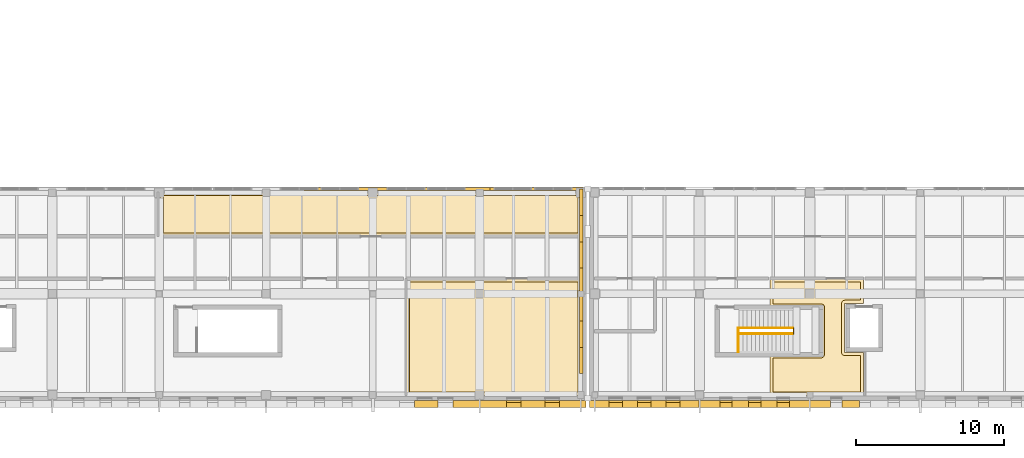
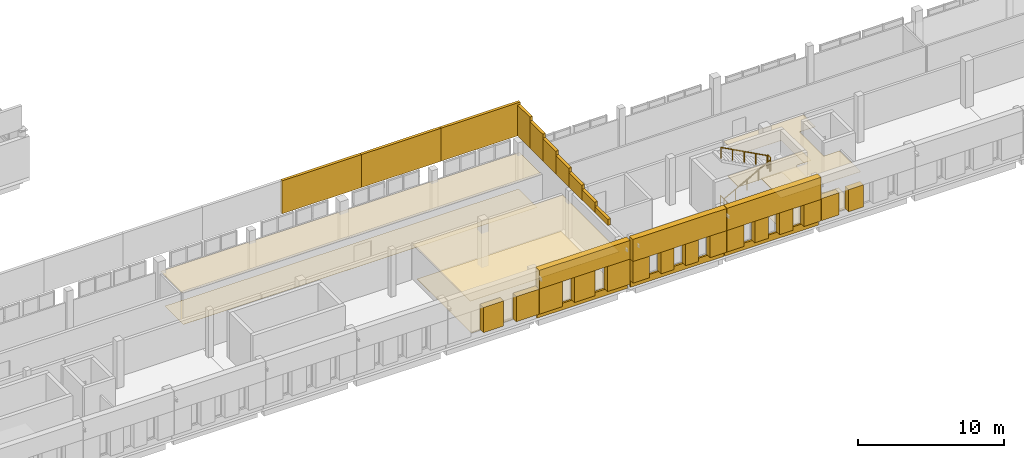
# One storey, part 69 of 76: 37 coverings, 4 railings.
"""IFC4 building model written with IfcOpenShell, lengths in metres."""

from ifc_helpers import new_model, si_unit, direction, frame, origin, origin_2d, place, context, subcontext, project, spatial, polyline, circle, outline, extrude, material, layer, layer_set, type_object, element, save


model = new_model("IFC4")

# Units and contexts
model_context = context("Model", 3, precision=1e-05, world=origin(), true_north=direction((0.0, 1.0)))
body_context = subcontext(model_context, "Body", "Model", "MODEL_VIEW")
ifc_project = project(units=[si_unit("LENGTHUNIT", "METRE"), si_unit("AREAUNIT", "SQUARE_METRE"), si_unit("VOLUMEUNIT", "CUBIC_METRE"), si_unit("PLANEANGLEUNIT", "RADIAN"), si_unit("MASSUNIT", "GRAM", prefix="KILO")], contexts=[model_context])

# Site, building, storey
site_placement = place(None, origin())
site = spatial("IfcSite", under=ifc_project, at=site_placement, CompositionType="ELEMENT")
building_placement = place(site_placement, origin())
building = spatial("IfcBuilding", under=site, at=building_placement, Name="Vardoun Plaza Health Centre", CompositionType="ELEMENT")
storey_placement = place(building_placement, frame((0.0, 0.0, 4.5)))
storey = spatial("IfcBuildingStorey", under=building, at=storey_placement, Name="L01", CompositionType="ELEMENT", Elevation=4.5)

# Coverings
ifc_material_1 = material(Name="Hygienic Acoustic Mineral-Fibre Ceiling", Category="concrete")
ifc_layer_1 = layer(ifc_material_1, 0.02490234375)
ifc_layer_set_1 = layer_set([ifc_layer_1], Name="Hygienic Acoustic Mineral-Fibre Ceiling")
covering_type_1 = type_object("IfcCoveringType", Name="CL-01", PredefinedType="CEILING", material=ifc_layer_set_1)
covering_1_placement = place(storey_placement, frame((0.0, 0.0, 2.844970703125)))
element("IfcCovering", 1, at=covering_1_placement, inside=storey, type_object=covering_type_1, Name="Haematology and Biochemistry Lab Acoustic Ceiling", PredefinedType="CEILING", context=body_context, shape_type="SweptSolid", body=[
    extrude(outline(polyline([(93.324951171875, 4.860107421875), (93.324951171875, 12.719970703125), (105.1201171875, 12.719970703125), (105.1201171875, 4.860107421875), (93.324951171875, 4.860107421875)])), origin(), (0.0, 0.0, 1.0), 0.025146484375),
])
covering_2_placement = place(storey_placement, frame((0.0, 0.0, 2.844970703125)))
element("IfcCovering", 2, at=covering_2_placement, inside=storey, type_object=covering_type_1, Name="Diagnostic Ultrasound Room 1 Acoustic Ceiling", PredefinedType="CEILING", context=body_context, shape_type="SweptSolid", body=[
    extrude(outline(polyline([(105.1201171875, 18.5400390625), (105.1201171875, 15.580078125), (76.77001953125, 15.580078125), (76.77001953125, 18.5400390625), (105.1201171875, 18.5400390625)])), origin(), (0.0, 0.0, 1.0), 0.025146484375),
])
covering_3_placement = place(storey_placement, frame((0.0, 0.0, 2.864990234375)))
element("IfcCovering", 3, at=covering_3_placement, inside=storey, type_object=covering_type_1, Name="Theatre Sterile Supply Unit TSSU A Acoustic Ceiling", PredefinedType="CEILING", context=body_context, shape_type="SweptSolid", body=[
    extrude(outline(polyline([(117.85009765625, 7.590087890625), (121.300048828125, 7.590087890625), (121.301025390625, 7.590087890625), (121.302001953125, 7.590087890625), (121.302978515625, 7.59033203125), (121.3037109375, 7.5908203125), (121.3046875, 7.59130859375), (121.3056640625, 7.591796875), (121.306396484375, 7.59228515625), (121.30712890625, 7.593017578125), (121.3076171875, 7.59375), (121.308349609375, 7.594482421875), (121.308837890625, 7.59521484375), (121.30908203125, 7.59619140625), (121.3095703125, 7.59716796875), (121.309814453125, 7.597900390625), (121.31005859375, 7.59912109375), (121.31005859375, 7.60009765625), (121.31005859375, 10.800048828125), (121.31005859375, 10.801025390625), (121.309814453125, 10.802001953125), (121.3095703125, 10.802978515625), (121.30908203125, 10.8037109375), (121.308837890625, 10.8046875), (121.308349609375, 10.8056640625), (121.3076171875, 10.806396484375), (121.30712890625, 10.80712890625), (121.306396484375, 10.8076171875), (121.3056640625, 10.808349609375), (121.3046875, 10.808837890625), (121.3037109375, 10.80908203125), (121.302978515625, 10.8095703125), (121.302001953125, 10.809814453125), (121.301025390625, 10.81005859375), (121.300048828125, 10.81005859375), (117.85009765625, 10.81005859375), (117.85009765625, 12.719970703125), (124.14990234375, 12.719970703125), (124.14990234375, 11.06005859375), (122.89990234375, 11.06005859375), (122.89892578125, 11.06005859375), (122.89794921875, 11.059814453125), (122.897216796875, 11.0595703125), (122.896240234375, 11.05908203125), (122.895263671875, 11.058837890625), (122.894287109375, 11.058349609375), (122.893798828125, 11.0576171875), (122.892822265625, 11.05712890625), (122.892333984375, 11.056396484375), (122.8916015625, 11.0556640625), (122.89111328125, 11.0546875), (122.890869140625, 11.0537109375), (122.890380859375, 11.052978515625), (122.89013671875, 11.052001953125), (122.889892578125, 11.051025390625), (122.889892578125, 11.050048828125), (122.889892578125, 7.75), (122.889892578125, 7.7490234375), (122.89013671875, 7.748046875), (122.890380859375, 7.7470703125), (122.890869140625, 7.74609375), (122.89111328125, 7.745361328125), (122.8916015625, 7.744384765625), (122.892333984375, 7.74365234375), (122.892822265625, 7.742919921875), (122.893798828125, 7.7421875), (122.894287109375, 7.74169921875), (122.895263671875, 7.7412109375), (122.896240234375, 7.74072265625), (122.897216796875, 7.740478515625), (122.89794921875, 7.740234375), (122.89892578125, 7.739990234375), (122.89990234375, 7.739990234375), (124.14990234375, 7.739990234375), (124.14990234375, 4.860107421875), (117.85009765625, 4.860107421875), (117.85009765625, 7.590087890625)])), origin(), (0.0, 0.0, 1.0), 0.02490234375),
])
ifc_material_2 = material(Name="Pale Limestone Concrete C35/45", Category="masonry")
ifc_layer_2 = layer(ifc_material_2, 0.080078125)
ifc_layer_set_2 = layer_set([ifc_layer_2], Name="Pale Limestone Concrete C35/45")
covering_type_2 = type_object("IfcCoveringType", Name="CL-EXT1", PredefinedType="CLADDING", material=ifc_layer_set_2)
covering_4_placement = place(storey_placement, origin())
element("IfcCovering", 4, at=covering_4_placement, inside=storey, type_object=covering_type_2, Name="V4 L01 Pale Concrete Sill Band 1025", PredefinedType="CLADDING", context=body_context, shape_type="SweptSolid", body=[
    extrude(outline(polyline([(105.4599609375, 4.5), (98.300048828125, 4.5), (98.300048828125, 4.360107421875), (105.4599609375, 4.360107421875), (105.4599609375, 4.5)])), origin(), (0.0, 0.0, 1.0), 0.550048828125),
])
covering_5_placement = place(storey_placement, frame((0.0, 0.0, 2.64990234375)))
element("IfcCovering", 5, at=covering_5_placement, inside=storey, type_object=covering_type_2, Name="V4 L01 Sculpted Concrete Eyebrow Hood 1026", PredefinedType="CLADDING", context=body_context, shape_type="SweptSolid", body=[
    extrude(outline(polyline([(105.4599609375, 4.5), (98.300048828125, 4.5), (98.300048828125, 4.02001953125), (105.4599609375, 4.02001953125), (105.4599609375, 4.5)])), origin(), (0.0, 0.0, 1.0), 1.550048828125),
])
covering_6_placement = place(storey_placement, frame((0.0, 0.0, 0.550048828125)))
element("IfcCovering", 6, at=covering_6_placement, inside=storey, type_object=covering_type_2, Name="V4 L01 Deep-Punched Slot Concrete Reveal Pier 1027", PredefinedType="CLADDING", context=body_context, shape_type="SweptSolid", body=[
    extrude(outline(polyline([(105.4599609375, 4.5), (103.656005859375, 4.5), (103.656005859375, 4.02001953125), (105.4599609375, 4.02001953125), (105.4599609375, 4.5)])), origin(), (0.0, 0.0, 1.0), 2.099853515625),
])
covering_7_placement = place(storey_placement, frame((0.0, 0.0, 0.550048828125)))
element("IfcCovering", 7, at=covering_7_placement, inside=storey, type_object=covering_type_2, Name="V4 L01 Deep-Punched Slot Concrete Reveal Pier 1028", PredefinedType="CLADDING", context=body_context, shape_type="SweptSolid", body=[
    extrude(outline(polyline([(102.696044921875, 4.5), (101.06396484375, 4.5), (101.06396484375, 4.02001953125), (102.696044921875, 4.02001953125), (102.696044921875, 4.5)])), origin(), (0.0, 0.0, 1.0), 2.099853515625),
])
covering_8_placement = place(storey_placement, frame((0.0, 0.0, 0.550048828125)))
element("IfcCovering", 8, at=covering_8_placement, inside=storey, type_object=covering_type_2, Name="V4 L01 Deep-Punched Slot Concrete Reveal Pier 1029", PredefinedType="CLADDING", context=body_context, shape_type="SweptSolid", body=[
    extrude(outline(polyline([(100.10400390625, 4.5), (98.300048828125, 4.5), (98.300048828125, 4.02001953125), (100.10400390625, 4.02001953125), (100.10400390625, 4.5)])), origin(), (0.0, 0.0, 1.0), 2.099853515625),
])
covering_9_placement = place(storey_placement, frame((0.0, 0.0, 0.550048828125)))
element("IfcCovering", 9, at=covering_9_placement, inside=storey, type_object=covering_type_2, Name="V4 L01 Deep-Punched Slot Concrete Reveal Pier 1032", PredefinedType="CLADDING", context=body_context, shape_type="SweptSolid", body=[
    extrude(outline(polyline([(98.260009765625, 4.5), (96.47607421875, 4.5), (96.47607421875, 4.02001953125), (98.260009765625, 4.02001953125), (98.260009765625, 4.5)])), origin(), (0.0, 0.0, 1.0), 2.099853515625),
])
covering_10_placement = place(storey_placement, frame((0.0, 0.0, 0.550048828125)))
element("IfcCovering", 10, at=covering_10_placement, inside=storey, type_object=covering_type_2, Name="V4 L01 Deep-Punched Slot Concrete Reveal Pier 1033", PredefinedType="CLADDING", context=body_context, shape_type="SweptSolid", body=[
    extrude(outline(polyline([(95.47607421875, 4.5), (93.884033203125, 4.5), (93.884033203125, 4.02001953125), (95.47607421875, 4.02001953125), (95.47607421875, 4.5)])), origin(), (0.0, 0.0, 1.0), 2.099853515625),
])
covering_11_placement = place(storey_placement, frame((0.0, 0.0, 0.550048828125)))
element("IfcCovering", 11, at=covering_11_placement, inside=storey, type_object=covering_type_2, Name="V5 L01 Deep-Punched Slot Concrete Reveal Pier 1168", PredefinedType="CLADDING", context=body_context, shape_type="SweptSolid", body=[
    extrude(outline(polyline([(123.8798828125, 4.5), (122.70556640625, 4.5), (122.70556640625, 4.02001953125), (123.8798828125, 4.02001953125), (123.8798828125, 4.5)])), origin(), (0.0, 0.0, 1.0), 1.849853515625),
])
covering_12_placement = place(storey_placement, frame((0.0, 0.0, 0.550048828125)))
element("IfcCovering", 12, at=covering_12_placement, inside=storey, type_object=covering_type_2, Name="V5 L01 Deep-Punched Slot Concrete Reveal Pier 1169", PredefinedType="CLADDING", context=body_context, shape_type="SweptSolid", body=[
    extrude(outline(polyline([(121.945556640625, 4.5), (120.56005859375, 4.5), (120.56005859375, 4.02001953125), (121.945556640625, 4.02001953125), (121.945556640625, 4.5)])), origin(), (0.0, 0.0, 1.0), 1.849853515625),
])
covering_13_placement = place(storey_placement, origin())
element("IfcCovering", 13, at=covering_13_placement, inside=storey, type_object=covering_type_2, Name="V5 L01 Pale Concrete Sill Band 1170", PredefinedType="CLADDING", context=body_context, shape_type="SweptSolid", body=[
    extrude(outline(polyline([(120.52001953125, 4.5), (113.1201171875, 4.5), (113.1201171875, 4.360107421875), (120.52001953125, 4.360107421875), (120.52001953125, 4.5)])), origin(), (0.0, 0.0, 1.0), 0.550048828125),
])
covering_14_placement = place(storey_placement, frame((0.0, 0.0, 2.35009765625)))
element("IfcCovering", 14, at=covering_14_placement, inside=storey, type_object=covering_type_2, Name="V5 L01 Sculpted Concrete Eyebrow Hood 1171", PredefinedType="CLADDING", context=body_context, shape_type="SweptSolid", body=[
    extrude(outline(polyline([(120.52001953125, 4.5), (113.1201171875, 4.5), (113.1201171875, 4.02001953125), (120.52001953125, 4.02001953125), (120.52001953125, 4.5)])), origin(), (0.0, 0.0, 1.0), 1.849853515625),
])
covering_15_placement = place(storey_placement, frame((0.0, 0.0, 0.550048828125)))
element("IfcCovering", 15, at=covering_15_placement, inside=storey, type_object=covering_type_2, Name="V5 L01 Deep-Punched Slot Concrete Reveal Pier 1172", PredefinedType="CLADDING", context=body_context, shape_type="SweptSolid", body=[
    extrude(outline(polyline([(120.52001953125, 4.5), (119.17431640625, 4.5), (119.17431640625, 4.02001953125), (120.52001953125, 4.02001953125), (120.52001953125, 4.5)])), origin(), (0.0, 0.0, 1.0), 1.800048828125),
])
covering_16_placement = place(storey_placement, frame((0.0, 0.0, 0.550048828125)))
element("IfcCovering", 16, at=covering_16_placement, inside=storey, type_object=covering_type_2, Name="V5 L01 Deep-Punched Slot Concrete Reveal Pier 1173", PredefinedType="CLADDING", context=body_context, shape_type="SweptSolid", body=[
    extrude(outline(polyline([(118.33447265625, 4.5), (117.239990234375, 4.5), (117.239990234375, 4.02001953125), (118.33447265625, 4.02001953125), (118.33447265625, 4.5)])), origin(), (0.0, 0.0, 1.0), 1.800048828125),
])
covering_17_placement = place(storey_placement, frame((0.0, 0.0, 0.550048828125)))
element("IfcCovering", 17, at=covering_17_placement, inside=storey, type_object=covering_type_2, Name="V5 L01 Deep-Punched Slot Concrete Reveal Pier 1174", PredefinedType="CLADDING", context=body_context, shape_type="SweptSolid", body=[
    extrude(outline(polyline([(116.39990234375, 4.5), (115.3056640625, 4.5), (115.3056640625, 4.02001953125), (116.39990234375, 4.02001953125), (116.39990234375, 4.5)])), origin(), (0.0, 0.0, 1.0), 1.800048828125),
])
covering_18_placement = place(storey_placement, frame((0.0, 0.0, 0.550048828125)))
element("IfcCovering", 18, at=covering_18_placement, inside=storey, type_object=covering_type_2, Name="V5 L01 Deep-Punched Slot Concrete Reveal Pier 1175", PredefinedType="CLADDING", context=body_context, shape_type="SweptSolid", body=[
    extrude(outline(polyline([(114.465576171875, 4.5), (113.1201171875, 4.5), (113.1201171875, 4.02001953125), (114.465576171875, 4.02001953125), (114.465576171875, 4.5)])), origin(), (0.0, 0.0, 1.0), 1.800048828125),
])
covering_19_placement = place(storey_placement, origin())
element("IfcCovering", 19, at=covering_19_placement, inside=storey, type_object=covering_type_2, Name="V5 L01 Pale Concrete Sill Band 1176", PredefinedType="CLADDING", context=body_context, shape_type="SweptSolid", body=[
    extrude(outline(polyline([(113.080078125, 4.5), (105.679931640625, 4.5), (105.679931640625, 4.360107421875), (113.080078125, 4.360107421875), (113.080078125, 4.5)])), origin(), (0.0, 0.0, 1.0), 0.550048828125),
])
covering_20_placement = place(storey_placement, frame((0.0, 0.0, 2.35009765625)))
element("IfcCovering", 20, at=covering_20_placement, inside=storey, type_object=covering_type_2, Name="V5 L01 Sculpted Concrete Eyebrow Hood 1177", PredefinedType="CLADDING", context=body_context, shape_type="SweptSolid", body=[
    extrude(outline(polyline([(113.080078125, 4.5), (105.679931640625, 4.5), (105.679931640625, 4.02001953125), (113.080078125, 4.02001953125), (113.080078125, 4.5)])), origin(), (0.0, 0.0, 1.0), 1.849853515625),
])
covering_21_placement = place(storey_placement, frame((0.0, 0.0, 0.550048828125)))
element("IfcCovering", 21, at=covering_21_placement, inside=storey, type_object=covering_type_2, Name="V5 L01 Deep-Punched Slot Concrete Reveal Pier 1178", PredefinedType="CLADDING", context=body_context, shape_type="SweptSolid", body=[
    extrude(outline(polyline([(113.080078125, 4.5), (111.7744140625, 4.5), (111.7744140625, 4.02001953125), (113.080078125, 4.02001953125), (113.080078125, 4.5)])), origin(), (0.0, 0.0, 1.0), 1.800048828125),
])
covering_22_placement = place(storey_placement, frame((0.0, 0.0, 0.550048828125)))
element("IfcCovering", 22, at=covering_22_placement, inside=storey, type_object=covering_type_2, Name="V5 L01 Deep-Punched Slot Concrete Reveal Pier 1179", PredefinedType="CLADDING", context=body_context, shape_type="SweptSolid", body=[
    extrude(outline(polyline([(110.8544921875, 4.5), (109.840087890625, 4.5), (109.840087890625, 4.02001953125), (110.8544921875, 4.02001953125), (110.8544921875, 4.5)])), origin(), (0.0, 0.0, 1.0), 1.800048828125),
])
covering_23_placement = place(storey_placement, frame((0.0, 0.0, 0.550048828125)))
element("IfcCovering", 23, at=covering_23_placement, inside=storey, type_object=covering_type_2, Name="V5 L01 Deep-Punched Slot Concrete Reveal Pier 1180", PredefinedType="CLADDING", context=body_context, shape_type="SweptSolid", body=[
    extrude(outline(polyline([(108.919921875, 4.5), (107.905517578125, 4.5), (107.905517578125, 4.02001953125), (108.919921875, 4.02001953125), (108.919921875, 4.5)])), origin(), (0.0, 0.0, 1.0), 1.800048828125),
])
covering_24_placement = place(storey_placement, frame((0.0, 0.0, 0.550048828125)))
element("IfcCovering", 24, at=covering_24_placement, inside=storey, type_object=covering_type_2, Name="V5 L01 Deep-Punched Slot Concrete Reveal Pier 1181", PredefinedType="CLADDING", context=body_context, shape_type="SweptSolid", body=[
    extrude(outline(polyline([(106.985595703125, 4.5), (105.679931640625, 4.5), (105.679931640625, 4.02001953125), (106.985595703125, 4.02001953125), (106.985595703125, 4.5)])), origin(), (0.0, 0.0, 1.0), 1.800048828125),
])
covering_25_placement = place(storey_placement, frame((0.0, 0.0, 4.199951171875)))
element("IfcCovering", 25, at=covering_25_placement, inside=storey, type_object=covering_type_2, Name="Sculpted Concrete Roof Gable Cladding V4-E.2", PredefinedType="CLADDING", context=body_context, shape_type="SweptSolid", body=[
    extrude(outline(polyline([(105.239990234375, 6.3173828125), (105.239990234375, 8.094970703125), (105.02001953125, 8.094970703125), (105.02001953125, 6.3173828125), (105.239990234375, 6.3173828125)])), origin(), (0.0, 0.0, 1.0), 0.515625),
])
covering_26_placement = place(storey_placement, frame((0.0, 0.0, 4.199951171875)))
element("IfcCovering", 26, at=covering_26_placement, inside=storey, type_object=covering_type_2, Name="Sculpted Concrete Roof Gable Cladding V4-E.3", PredefinedType="CLADDING", context=body_context, shape_type="SweptSolid", body=[
    extrude(outline(polyline([(105.239990234375, 8.094970703125), (105.239990234375, 9.87255859375), (105.02001953125, 9.87255859375), (105.02001953125, 8.094970703125), (105.239990234375, 8.094970703125)])), origin(), (0.0, 0.0, 1.0), 0.859375),
])
covering_27_placement = place(storey_placement, frame((0.0, 0.0, 4.199951171875)))
element("IfcCovering", 27, at=covering_27_placement, inside=storey, type_object=covering_type_2, Name="Sculpted Concrete Roof Gable Cladding V4-E.4", PredefinedType="CLADDING", context=body_context, shape_type="SweptSolid", body=[
    extrude(outline(polyline([(105.239990234375, 9.87255859375), (105.239990234375, 11.64990234375), (105.02001953125, 11.64990234375), (105.02001953125, 9.87255859375), (105.239990234375, 9.87255859375)])), origin(), (0.0, 0.0, 1.0), 1.203125),
])
covering_28_placement = place(storey_placement, frame((0.0, 0.0, 4.199951171875)))
element("IfcCovering", 28, at=covering_28_placement, inside=storey, type_object=covering_type_2, Name="Sculpted Concrete Roof Gable Cladding V4-E.5", PredefinedType="CLADDING", context=body_context, shape_type="SweptSolid", body=[
    extrude(outline(polyline([(105.239990234375, 11.64990234375), (105.239990234375, 13.427490234375), (105.02001953125, 13.427490234375), (105.02001953125, 11.64990234375), (105.239990234375, 11.64990234375)])), origin(), (0.0, 0.0, 1.0), 1.546875),
])
covering_29_placement = place(storey_placement, frame((0.0, 0.0, 4.199951171875)))
element("IfcCovering", 29, at=covering_29_placement, inside=storey, type_object=covering_type_2, Name="Sculpted Concrete Roof Gable Cladding V4-E.6", PredefinedType="CLADDING", context=body_context, shape_type="SweptSolid", body=[
    extrude(outline(polyline([(105.239990234375, 13.427490234375), (105.239990234375, 15.205078125), (105.02001953125, 15.205078125), (105.02001953125, 13.427490234375), (105.239990234375, 13.427490234375)])), origin(), (0.0, 0.0, 1.0), 1.890625),
])
covering_30_placement = place(storey_placement, frame((0.0, 0.0, 4.199951171875)))
element("IfcCovering", 30, at=covering_30_placement, inside=storey, type_object=covering_type_2, Name="Sculpted Concrete Roof Gable Cladding V4-E.7", PredefinedType="CLADDING", context=body_context, shape_type="SweptSolid", body=[
    extrude(outline(polyline([(105.239990234375, 15.205078125), (105.239990234375, 16.982421875), (105.02001953125, 16.982421875), (105.02001953125, 15.205078125), (105.239990234375, 15.205078125)])), origin(), (0.0, 0.0, 1.0), 2.234375),
])
covering_31_placement = place(storey_placement, frame((0.0, 0.0, 4.199951171875)))
element("IfcCovering", 31, at=covering_31_placement, inside=storey, type_object=covering_type_2, Name="Sculpted Concrete Roof Gable Cladding V4-E.8", PredefinedType="CLADDING", context=body_context, shape_type="SweptSolid", body=[
    extrude(outline(polyline([(105.239990234375, 16.982421875), (105.239990234375, 18.760009765625), (105.02001953125, 18.760009765625), (105.02001953125, 16.982421875), (105.239990234375, 16.982421875)])), origin(), (0.0, 0.0, 1.0), 2.578125),
])
covering_32_placement = place(storey_placement, frame((0.0, 0.0, 4.199951171875)))
element("IfcCovering", 32, at=covering_32_placement, inside=storey, type_object=covering_type_2, Name="Sculpted Concrete Roof Gable Cladding V4-N.6", PredefinedType="CLADDING", context=body_context, shape_type="SweptSolid", body=[
    extrude(outline(polyline([(86.429931640625, 18.659912109375), (92.699951171875, 18.659912109375), (92.699951171875, 18.8798828125), (86.429931640625, 18.8798828125), (86.429931640625, 18.659912109375)])), origin(), (0.0, 0.0, 1.0), 2.75),
])
covering_33_placement = place(storey_placement, frame((0.0, 0.0, 4.199951171875)))
element("IfcCovering", 33, at=covering_33_placement, inside=storey, type_object=covering_type_2, Name="Sculpted Concrete Roof Gable Cladding V4-N.7", PredefinedType="CLADDING", context=body_context, shape_type="SweptSolid", body=[
    extrude(outline(polyline([(92.699951171875, 18.659912109375), (98.969970703125, 18.659912109375), (98.969970703125, 18.8798828125), (92.699951171875, 18.8798828125), (92.699951171875, 18.659912109375)])), origin(), (0.0, 0.0, 1.0), 2.75),
])
covering_34_placement = place(storey_placement, frame((0.0, 0.0, 4.199951171875)))
element("IfcCovering", 34, at=covering_34_placement, inside=storey, type_object=covering_type_2, Name="Sculpted Concrete Roof Gable Cladding V4-N.8", PredefinedType="CLADDING", context=body_context, shape_type="SweptSolid", body=[
    extrude(outline(polyline([(98.969970703125, 18.659912109375), (105.239990234375, 18.659912109375), (105.239990234375, 18.8798828125), (98.969970703125, 18.8798828125), (98.969970703125, 18.659912109375)])), origin(), (0.0, 0.0, 1.0), 2.75),
])
ifc_material_3 = material(Name="Seamless Conductive Clinical Vinyl Flooring", Category="concrete")
ifc_layer_3 = layer(ifc_material_3, 0.014892578125)
ifc_layer_set_3 = layer_set([ifc_layer_3], Name="Seamless Conductive Clinical Vinyl Flooring")
covering_type_3 = type_object("IfcCoveringType", Name="FL-01", PredefinedType="FLOORING", material=ifc_layer_set_3)
covering_35_placement = place(storey_placement, origin())
element("IfcCovering", 35, at=covering_35_placement, inside=storey, type_object=covering_type_3, Name="Haematology and Biochemistry Lab Floor Finish", PredefinedType="FLOORING", context=body_context, shape_type="SweptSolid", body=[
    extrude(outline(polyline([(93.534912109375, 5.070068359375), (93.534912109375, 12.510009765625), (104.909912109375, 12.510009765625), (104.909912109375, 5.070068359375), (93.534912109375, 5.070068359375)])), origin(), (0.0, 0.0, 1.0), 0.014892578125),
])
covering_36_placement = place(storey_placement, origin())
element("IfcCovering", 36, at=covering_36_placement, inside=storey, type_object=covering_type_3, Name="Diagnostic Ultrasound Room 1 Floor Finish", PredefinedType="FLOORING", context=body_context, shape_type="SweptSolid", body=[
    extrude(outline(polyline([(104.909912109375, 18.330078125), (104.909912109375, 15.7900390625), (76.97998046875, 15.7900390625), (76.97998046875, 18.330078125), (104.909912109375, 18.330078125)])), origin(), (0.0, 0.0, 1.0), 0.014892578125),
])
covering_37_placement = place(storey_placement, origin())
element("IfcCovering", 37, at=covering_37_placement, inside=storey, type_object=covering_type_3, Name="Theatre Sterile Supply Unit TSSU A Floor Finish", PredefinedType="FLOORING", context=body_context, shape_type="SweptSolid", body=[
    extrude(outline(polyline([(118.06005859375, 7.3798828125), (121.300048828125, 7.3798828125), (121.321533203125, 7.381103515625), (121.343017578125, 7.38427734375), (121.364013671875, 7.389404296875), (121.38427734375, 7.396728515625), (121.40380859375, 7.406005859375), (121.422119140625, 7.4169921875), (121.439697265625, 7.429931640625), (121.45556640625, 7.4443359375), (121.47021484375, 7.46044921875), (121.48291015625, 7.477783203125), (121.493896484375, 7.496337890625), (121.50341796875, 7.515869140625), (121.510498046875, 7.5361328125), (121.515869140625, 7.55712890625), (121.518798828125, 7.578369140625), (121.52001953125, 7.60009765625), (121.52001953125, 10.800048828125), (121.518798828125, 10.821533203125), (121.515869140625, 10.843017578125), (121.510498046875, 10.864013671875), (121.50341796875, 10.88427734375), (121.493896484375, 10.90380859375), (121.48291015625, 10.922119140625), (121.47021484375, 10.939697265625), (121.45556640625, 10.95556640625), (121.439697265625, 10.97021484375), (121.422119140625, 10.98291015625), (121.40380859375, 10.993896484375), (121.38427734375, 11.00341796875), (121.364013671875, 11.010498046875), (121.343017578125, 11.015869140625), (121.321533203125, 11.018798828125), (121.300048828125, 11.02001953125), (118.06005859375, 11.02001953125), (118.06005859375, 12.510009765625), (123.93994140625, 12.510009765625), (123.93994140625, 11.27001953125), (122.89990234375, 11.27001953125), (122.87841796875, 11.268798828125), (122.857177734375, 11.265869140625), (122.836181640625, 11.260498046875), (122.81591796875, 11.25341796875), (122.79638671875, 11.243896484375), (122.77783203125, 11.23291015625), (122.760498046875, 11.22021484375), (122.744384765625, 11.20556640625), (122.72998046875, 11.189697265625), (122.717041015625, 11.172119140625), (122.7060546875, 11.15380859375), (122.69677734375, 11.13427734375), (122.689453125, 11.114013671875), (122.68408203125, 11.093017578125), (122.68115234375, 11.071533203125), (122.679931640625, 11.050048828125), (122.679931640625, 7.75), (122.68115234375, 7.728515625), (122.68408203125, 7.70703125), (122.689453125, 7.68603515625), (122.69677734375, 7.665771484375), (122.7060546875, 7.646240234375), (122.717041015625, 7.627685546875), (122.72998046875, 7.6103515625), (122.744384765625, 7.594482421875), (122.760498046875, 7.579833984375), (122.77783203125, 7.567138671875), (122.79638671875, 7.555908203125), (122.81591796875, 7.546630859375), (122.836181640625, 7.53955078125), (122.857177734375, 7.5341796875), (122.87841796875, 7.531005859375), (122.89990234375, 7.530029296875), (123.93994140625, 7.530029296875), (123.93994140625, 5.070068359375), (118.06005859375, 5.070068359375), (118.06005859375, 7.3798828125)])), origin(), (0.0, 0.0, 1.0), 0.014892578125),
])

# Railings
ifc_material_4 = material(Name="Painted Steel S275JR Stair-Well Guardrail", Category="steel")
railing_type_1 = type_object("IfcRailingType", Name="GR-04", PredefinedType="GUARDRAIL", material=ifc_material_4)
railing_1_placement = place(storey_placement, frame((115.7099609375, 7.780029296875, 0.0)))
element("IfcRailing", 38, at=railing_1_placement, inside=storey, type_object=railing_type_1, Name="Stair ST-C8-L00 Upper Landing Well Guard", PredefinedType="GUARDRAIL", context=body_context, shape_type="SweptSolid", body=[
    extrude(circle(Radius=0.02392578125, at=origin_2d()), frame((0.0, 0.0, 1.09619140625), z_axis=(0.0, 1.0, 0.0), x_axis=(-1.0, 0.0, 0.0)), (0.0, 0.0, 1.0), 1.614990234375),
    extrude(circle(Radius=0.02099609375, at=origin_2d()), origin(), (0.0, 0.0, 1.0), 1.072021484375),
    extrude(circle(Radius=0.02099609375, at=origin_2d()), frame((0.0, 0.8076171875, 0.0)), (0.0, 0.0, 1.0), 1.072021484375),
    extrude(circle(Radius=0.02099609375, at=origin_2d()), frame((0.0, 1.614990234375, 0.0)), (0.0, 0.0, 1.0), 1.072021484375),
])
railing_2_placement = place(storey_placement, frame((119.429931640625, 9.0048828125, 2.10009765625)))
element("IfcRailing", 39, at=railing_2_placement, inside=storey, type_object=railing_type_1, Name="Stair ST-C8-L01 Mid-Landing Well Guard", PredefinedType="GUARDRAIL", context=body_context, shape_type="SweptSolid", body=[
    extrude(circle(Radius=0.02392578125, at=origin_2d()), frame((0.0, 0.0, 1.09619140625), z_axis=(0.0, 1.0, 0.0), x_axis=(-1.0, 0.0, 0.0)), (0.0, 0.0, 1.0), 0.39013671875),
    extrude(circle(Radius=0.02099609375, at=origin_2d()), origin(), (0.0, 0.0, 1.0), 1.072021484375),
    extrude(circle(Radius=0.02099609375, at=origin_2d()), frame((0.0, 0.39013671875, 0.0)), (0.0, 0.0, 1.0), 1.072021484375),
])
ifc_material_5 = material(Name="Brushed Stainless Steel Grade 316L", Category="steel")
railing_type_2 = type_object("IfcRailingType", Name="HR-01", PredefinedType="HANDRAIL", material=ifc_material_5)
railing_3_placement = place(storey_placement, frame((115.75, 9.0048828125, 0.14990234375)))
element("IfcRailing", 40, at=railing_3_placement, inside=storey, type_object=railing_type_2, Name="Stair ST-C8-L01 Flight 1 Handrail", PredefinedType="HANDRAIL", context=body_context, shape_type="SweptSolid", body=[
    extrude(circle(Radius=0.02392578125, at=origin_2d()), frame((0.0, 0.0, 0.89599609375), z_axis=(0.88145447994, 0.0, 0.472268990929), x_axis=(0.0, 1.0, 0.0)), (0.0, 0.0, 1.0), 4.12939453125),
    extrude(circle(Radius=0.02099609375, at=origin_2d()), origin(), (0.0, 0.0, 1.0), 0.871826171875),
    extrude(circle(Radius=0.02099609375, at=origin_2d()), frame((0.909912109375, 0.0, 0.487548828125)), (0.0, 0.0, 1.0), 0.871826171875),
    extrude(circle(Radius=0.02099609375, at=origin_2d()), frame((1.81982421875, 0.0, 0.97509765625)), (0.0, 0.0, 1.0), 0.871826171875),
    extrude(circle(Radius=0.02099609375, at=origin_2d()), frame((2.72998046875, 0.0, 1.462646484375)), (0.0, 0.0, 1.0), 0.871826171875),
    extrude(circle(Radius=0.02099609375, at=origin_2d()), frame((3.639892578125, 0.0, 1.9501953125)), (0.0, 0.0, 1.0), 0.871826171875),
])
railing_4_placement = place(storey_placement, frame((119.389892578125, 9.39501953125, 2.25)))
element("IfcRailing", 41, at=railing_4_placement, inside=storey, type_object=railing_type_2, Name="Stair ST-C8-L01 Flight 2 Handrail", PredefinedType="HANDRAIL", context=body_context, shape_type="SweptSolid", body=[
    extrude(circle(Radius=0.02392578125, at=origin_2d()), frame((0.0, 0.0, 0.89599609375), z_axis=(-0.881479091078, 0.0, 0.472223053219), x_axis=(0.0, -1.0, 0.0)), (0.0, 0.0, 1.0), 4.12939453125),
    extrude(circle(Radius=0.02099609375, at=origin_2d()), origin(), (0.0, 0.0, 1.0), 0.871826171875),
    extrude(circle(Radius=0.02099609375, at=origin_2d()), frame((-0.909912109375, 0.0, 0.487548828125)), (0.0, 0.0, 1.0), 0.871826171875),
    extrude(circle(Radius=0.02099609375, at=origin_2d()), frame((-1.81982421875, 0.0, 0.97509765625)), (0.0, 0.0, 1.0), 0.871826171875),
    extrude(circle(Radius=0.02099609375, at=origin_2d()), frame((-2.72998046875, 0.0, 1.46240234375)), (0.0, 0.0, 1.0), 0.871826171875),
    extrude(circle(Radius=0.02099609375, at=origin_2d()), frame((-3.639892578125, 0.0, 1.949951171875)), (0.0, 0.0, 1.0), 0.871826171875),
])

save(model, "model.ifc")
